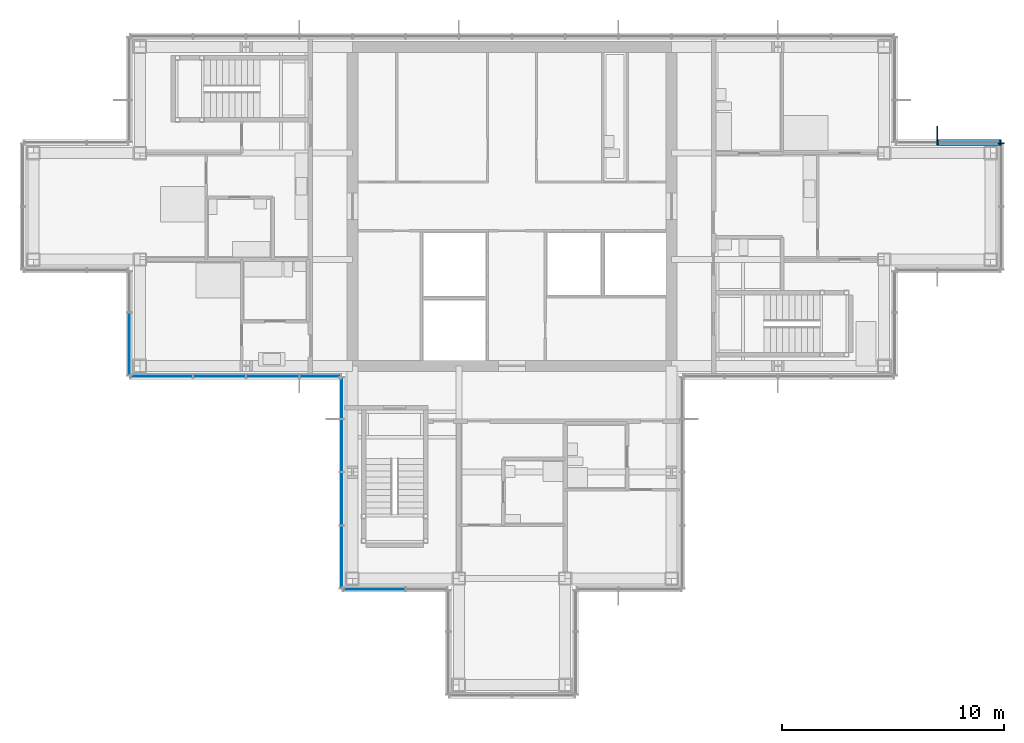
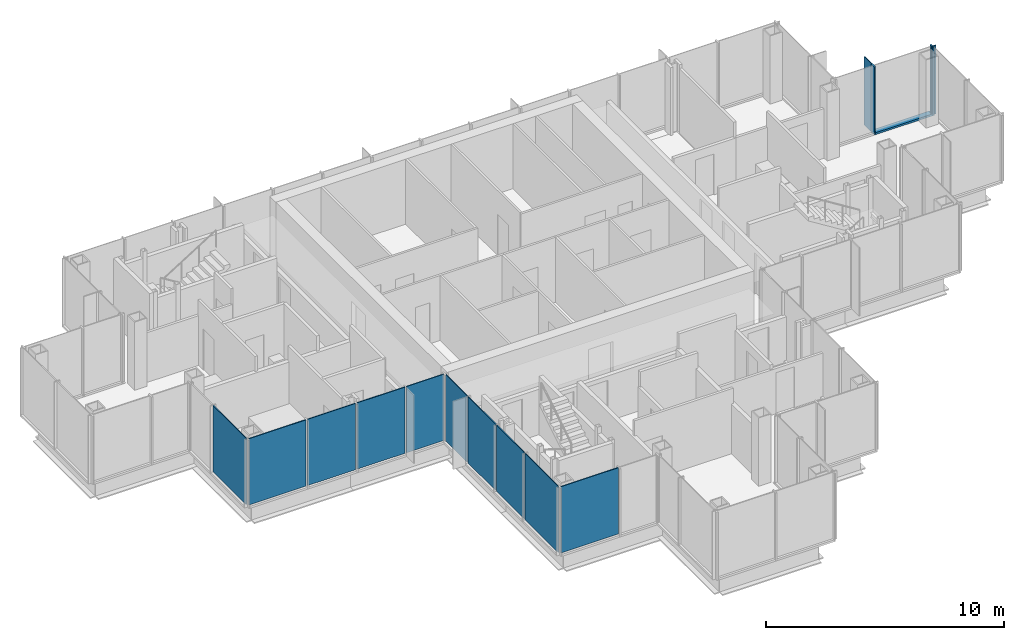
# One storey, part 8 of 15: 10 plates, 5 members, 6 elements without a shape of their own.
"""IFC4 building model written with IfcOpenShell, lengths in metres."""

import ifcopenshell
import ifcopenshell.guid

model = None  # the IFC model being written
_history = None  # IfcOwnerHistory: only IFC2X3 demands one
_inside = {}  # id of a spatial element -> (the spatial element, [elements in it])
_under = {}  # id of a project, library or spatial element -> (it, [spatial elements below it])
_declared = {}  # id of a project -> (the project, [libraries it declares])
_typed = {}  # id of a type object -> (the type object, [elements of that type])
_made_of = {}  # id of a material, layer set ... -> (it, [elements and type objects made of it])


def new_model(schema):
    """Start an empty IFC model of exactly this schema.

    Asked for "IFC4X3", IfcOpenShell would pick the latest addendum, in which some entities
    have other attributes; the version numbers below select the first issue.
    IFC2X3 requires an IfcOwnerHistory on every rooted entity: one is made here for all.
    """
    global model, _history
    if schema == "IFC4X3":
        model = ifcopenshell.file(schema_version=(4, 3, 0, 0))
    else:
        model = ifcopenshell.file(schema=schema)
    _inside.clear()
    _under.clear()
    _declared.clear()
    _typed.clear()
    _made_of.clear()
    _history = None
    if model.schema == "IFC2X3":
        org = make("IfcOrganization", Name="unknown")
        user = make(
            "IfcPersonAndOrganization",
            ThePerson=make("IfcPerson", FamilyName="unknown"),
            TheOrganization=org,
        )
        app = make(
            "IfcApplication",
            ApplicationDeveloper=org,
            Version="unknown",
            ApplicationFullName="unknown",
            ApplicationIdentifier="unknown",
        )
        _history = make(
            "IfcOwnerHistory",
            OwningUser=user,
            OwningApplication=app,
            ChangeAction="ADDED",
            CreationDate=0,
        )
    return model


def make(cls, **values):
    """One entity of the class cls with the attributes given. An attribute that is None is left unset."""
    return model.create_entity(
        cls, **{name: value for name, value in values.items() if value is not None}
    )


def rooted(cls, **values):
    """An entity with a GlobalId (a new one), such as an element, a storey or a relation."""
    return make(cls, GlobalId=ifcopenshell.guid.new(), OwnerHistory=_history, **values)


def si_unit(unit_type, name, prefix=None):
    """IfcSIUnit, for example si_unit("LENGTHUNIT", "METRE", prefix="MILLI")."""
    return make("IfcSIUnit", UnitType=unit_type, Prefix=prefix, Name=name)


def assignment(units):
    """IfcUnitAssignment: the units of a project."""
    return None if units is None else make("IfcUnitAssignment", Units=units)


def point(xyz):
    """IfcCartesianPoint."""
    return None if xyz is None else make("IfcCartesianPoint", Coordinates=xyz)


def direction(xyz):
    """IfcDirection."""
    return None if xyz is None else make("IfcDirection", DirectionRatios=xyz)


def frame(location, z_axis=None, x_axis=None):
    """IfcAxis2Placement3D, a coordinate frame: its origin and axes. An axis left out is left unset."""
    return make(
        "IfcAxis2Placement3D",
        Location=point(location),
        Axis=direction(z_axis),
        RefDirection=direction(x_axis),
    )


def frame_2d(location, x_axis=None):
    """IfcAxis2Placement2D, a coordinate frame in the plane: its origin and x axis."""
    return make(
        "IfcAxis2Placement2D", Location=point(location), RefDirection=direction(x_axis)
    )


def origin():
    """The frame at (0, 0, 0) with its axes left unset."""
    return frame((0.0, 0.0, 0.0))


def origin_2d():
    """The frame at (0, 0) in the plane with its x axis left unset."""
    return frame_2d((0.0, 0.0))


def place(relative_to, where):
    """IfcLocalPlacement: puts the frame where relative to a parent placement (None: the world)."""
    return make(
        "IfcLocalPlacement", PlacementRelTo=relative_to, RelativePlacement=where
    )


def context(
    kind, dimensions, precision=None, world=None, true_north=None, identifier=None
):
    """IfcGeometricRepresentationContext, for example the 3D "Model" context."""
    return make(
        "IfcGeometricRepresentationContext",
        ContextIdentifier=identifier,
        ContextType=kind,
        CoordinateSpaceDimension=dimensions,
        Precision=precision,
        WorldCoordinateSystem=world,
        TrueNorth=true_north,
    )


def subcontext(parent, identifier, kind, view, scale=None):
    """IfcGeometricRepresentationSubContext, for example "Body" below "Model"."""
    return make(
        "IfcGeometricRepresentationSubContext",
        ContextIdentifier=identifier,
        ContextType=kind,
        ParentContext=parent,
        TargetScale=scale,
        TargetView=view,
    )


def project(units=None, contexts=None):
    """IfcProject with its units and contexts."""
    return rooted(
        "IfcProject",
        Name="project",
        RepresentationContexts=contexts,
        UnitsInContext=assignment(units),
    )


def spatial(cls, under=None, at=None, **own):
    """A site, building, storey or space (cls), placed at a placement, below another one or the project."""
    s = rooted(cls, ObjectPlacement=at, **own)
    if under is not None:
        _under.setdefault(under.id(), (under, []))[1].append(s)
    return s


def profile(cls, at=None, kind="AREA", **sizes):
    """A parametric profile (cls). Its sizes go by their IFC names, for example OverallWidth=200.0."""
    return make(cls, ProfileType=kind, Position=at, **sizes)


def rectangle(**sizes):
    """IfcRectangleProfileDef."""
    return profile("IfcRectangleProfileDef", **sizes)


def extrude(swept, where, along, depth):
    """IfcExtrudedAreaSolid: the profile swept, set in the frame where, extruded along a direction by depth."""
    return make(
        "IfcExtrudedAreaSolid",
        SweptArea=swept,
        Position=where,
        ExtrudedDirection=direction(along),
        Depth=depth,
    )


def shape(context_of_items, identifier, shape_type, items):
    """IfcShapeRepresentation: the items that make up one representation, for example the "Body"."""
    return make(
        "IfcShapeRepresentation",
        ContextOfItems=context_of_items,
        RepresentationIdentifier=identifier,
        RepresentationType=shape_type,
        Items=items,
    )


def material(Name=None, Category=None):
    """IfcMaterial."""
    return make("IfcMaterial", Name=Name, Category=Category)


def layer(
    of_material, thickness, ventilated=None, Name=None, Category=None, Priority=None
):
    """IfcMaterialLayer: one layer of a wall or slab, of a material (None: an air gap)."""
    return make(
        "IfcMaterialLayer",
        Material=of_material,
        LayerThickness=thickness,
        IsVentilated=ventilated,
        Name=Name,
        Category=Category,
        Priority=Priority,
    )


def layer_set(layers, Name=None):
    """IfcMaterialLayerSet."""
    return make("IfcMaterialLayerSet", MaterialLayers=layers, LayerSetName=Name)


def material_profile(
    of_material, cross_section, Name=None, Category=None, Priority=None
):
    """IfcMaterialProfile: a cross section and its material."""
    return make(
        "IfcMaterialProfile",
        Name=Name,
        Material=of_material,
        Profile=cross_section,
        Priority=Priority,
        Category=Category,
    )


def profile_set(profiles, Name=None, composite=None):
    """IfcMaterialProfileSet."""
    return make(
        "IfcMaterialProfileSet",
        Name=Name,
        MaterialProfiles=profiles,
        CompositeProfile=composite,
    )


def made_of(thing, what):
    """Note that an element or type object is made of a material, layer set ...; save() writes the relation."""
    if what is not None:
        _made_of.setdefault(what.id(), (what, []))[1].append(thing)
    return thing


def type_object(cls, material=None, **own):
    """A type object (cls), such as IfcWallType, which elements share."""
    return made_of(rooted(cls, **own), material)


def element(
    cls,
    number,
    at=None,
    inside=None,
    cuts=None,
    type_object=None,
    material=None,
    context=None,
    identifier="Body",
    shape_type=None,
    held_by="IfcProductDefinitionShape",
    body=None,
    shapes=None,
    **own,
):
    """One element of the class cls, such as IfcWall. Its Tag is "e" and its number.

    at: its placement. inside: the storey or other place that contains it. cuts: it is an
    opening in that element (IfcRelVoidsElement). A single representation is given by context,
    identifier, shape_type and body (its items); several are given by shapes. held_by: the class
    of the entity that holds the representations. save() writes the other relations.
    """
    e = rooted(cls, Tag="e%d" % number, ObjectPlacement=at, **own)
    if body is not None:
        shapes = [shape(context, identifier, shape_type, body)]
    if shapes is not None:
        e.Representation = make(held_by, Representations=shapes)
    if inside is not None:
        _inside.setdefault(inside.id(), (inside, []))[1].append(e)
    if cuts is not None:
        rooted(
            "IfcRelVoidsElement", RelatingBuildingElement=cuts, RelatedOpeningElement=e
        )
    if type_object is not None:
        _typed.setdefault(type_object.id(), (type_object, []))[1].append(e)
    return made_of(e, material)


def aggregate(whole, parts):
    """IfcRelAggregates: a whole, such as a stair, and the parts it consists of."""
    return rooted("IfcRelAggregates", RelatingObject=whole, RelatedObjects=parts)


def save(model, path):
    """Write the relations noted so far, then the file.

    IfcRelAggregates (storeys below a building ...), IfcRelContainedInSpatialStructure (elements
    in a storey), IfcRelDefinesByType, IfcRelAssociatesMaterial and IfcRelDeclares: one each for
    every whole, place, type object, material and project.
    """
    for whole, parts in _under.values():
        aggregate(whole, parts)
    for where, things in _inside.values():
        rooted(
            "IfcRelContainedInSpatialStructure",
            RelatedElements=things,
            RelatingStructure=where,
        )
    for kind, things in _typed.values():
        rooted("IfcRelDefinesByType", RelatedObjects=things, RelatingType=kind)
    for what, things in _made_of.values():
        rooted("IfcRelAssociatesMaterial", RelatedObjects=things, RelatingMaterial=what)
    for by, libraries in _declared.values():
        rooted("IfcRelDeclares", RelatingContext=by, RelatedDefinitions=libraries)
    model.write(path)


model = new_model("IFC4")

# Units and contexts
model_context = context("Model", 3, precision=1e-05, world=origin(), true_north=direction((0.0, 1.0)))
body_context = subcontext(model_context, "Body", "Model", "MODEL_VIEW")
ifc_project = project(units=[si_unit("LENGTHUNIT", "METRE"), si_unit("AREAUNIT", "SQUARE_METRE"), si_unit("VOLUMEUNIT", "CUBIC_METRE"), si_unit("PLANEANGLEUNIT", "RADIAN"), si_unit("MASSUNIT", "GRAM", prefix="KILO")], contexts=[model_context])

# Site, building, storey
site_placement = place(None, origin())
site = spatial("IfcSite", under=ifc_project, at=site_placement, CompositionType="ELEMENT")
building_placement = place(site_placement, origin())
building = spatial("IfcBuilding", under=site, at=building_placement, Name="Kvirike Care Tower", CompositionType="ELEMENT")
storey_placement = place(building_placement, frame((0.0, 0.0, 212.0)))
storey = spatial("IfcBuildingStorey", under=building, at=storey_placement, Name="L58", CompositionType="ELEMENT", Elevation=212.0)

# Curtain wall, member
ifc_material_1 = material(Name="Anodised aluminium stick system", Category="aluminium")
curtain_wall_type = type_object("IfcCurtainWallType", Name="CW-D STICK CURTAIN WALL", PredefinedType="NOTDEFINED", material=ifc_material_1)
curtain_wall_1_placement = place(storey_placement, origin())
curtain_wall_1 = element("IfcCurtainWall", 1, at=curtain_wall_1_placement, inside=storey, type_object=curtain_wall_type, Name="Curtain wall L58 face 5", PredefinedType="NOTDEFINED")
ifc_material_2 = material(Name="Bronze anodised aluminium fin", Category="aluminium")
ifc_material_profile_1 = material_profile(ifc_material_2, rectangle(XDim=0.050048828125, YDim=0.60009765625, at=origin_2d()), Name="BRONZE FIN 600")
ifc_profile_set_1 = profile_set([ifc_material_profile_1], Name="Bronze anodised aluminium fin")
member_type_1 = type_object("IfcMemberType", Name="BRONZE FIN 600", PredefinedType="USERDEFINED", material=ifc_profile_set_1)
member_1_placement = place(storey_placement, frame((40.800048828125, 39.31005859375, 0.0), z_axis=(0.0, 0.0, 1.0), x_axis=(-1.0, 0.0, 0.0)))
member_1 = element("IfcMember", 2, at=member_1_placement, type_object=member_type_1, Name="Bronze fin L58 face 5.2", ObjectType="FIN", PredefinedType="USERDEFINED", context=body_context, shape_type="SweptSolid", body=[
    extrude(rectangle(XDim=0.050048828125, YDim=0.60009765625, at=origin_2d()), origin(), (0.0, 0.0, 1.0), 3.5),
])

curtain_wall_2_placement = place(storey_placement, origin())
curtain_wall_2 = element("IfcCurtainWall", 3, at=curtain_wall_2_placement, inside=storey, type_object=curtain_wall_type, Name="Curtain wall L58 face 4", PredefinedType="NOTDEFINED")
ifc_material_3 = material(Name="Bronze anodised aluminium mullion", Category="aluminium")
ifc_material_profile_2 = material_profile(ifc_material_3, rectangle(XDim=0.06494140625, YDim=0.260009765625, at=origin_2d()), Name="CW-D MULLION 65x260")
ifc_profile_set_2 = profile_set([ifc_material_profile_2], Name="Bronze anodised aluminium mullion")
member_type_2 = type_object("IfcMemberType", Name="CW-D MULLION 65x260", PredefinedType="MULLION", material=ifc_profile_set_2)
member_2_placement = place(storey_placement, frame((43.679931640625, 38.847412109375, 0.0), z_axis=(0.0, 0.0, 1.0), x_axis=(0.0, 1.0, 0.0)))
member_2 = element("IfcMember", 4, at=member_2_placement, type_object=member_type_2, Name="CW-D mullion L58 face 4.3", PredefinedType="MULLION", context=body_context, shape_type="SweptSolid", body=[
    extrude(rectangle(XDim=0.06494140625, YDim=0.260009765625, at=origin_2d()), origin(), (0.0, 0.0, 1.0), 3.5),
])
aggregate(curtain_wall_2, [member_2])

# Member
member_3_placement = place(storey_placement, frame((43.6474609375, 38.8798828125, 0.0), z_axis=(0.0, 0.0, 1.0), x_axis=(-1.0, 0.0, 0.0)))
member_3 = element("IfcMember", 5, at=member_3_placement, type_object=member_type_2, Name="CW-D mullion L58 face 5.1", PredefinedType="MULLION", context=body_context, shape_type="SweptSolid", body=[
    extrude(rectangle(XDim=0.06494140625, YDim=0.260009765625, at=origin_2d()), origin(), (0.0, 0.0, 1.0), 3.5),
])

member_4_placement = place(storey_placement, frame((40.800048828125, 38.8798828125, 0.0), z_axis=(0.0, 0.0, 1.0), x_axis=(-1.0, 0.0, 0.0)))
member_4 = element("IfcMember", 6, at=member_4_placement, type_object=member_type_2, Name="CW-D mullion L58 face 5.2", PredefinedType="MULLION", context=body_context, shape_type="SweptSolid", body=[
    extrude(rectangle(XDim=0.06494140625, YDim=0.260009765625, at=origin_2d()), origin(), (0.0, 0.0, 1.0), 3.5),
])

ifc_material_4 = material(Name="Bronze anodised aluminium transom", Category="aluminium")
ifc_material_profile_3 = material_profile(ifc_material_4, rectangle(XDim=0.260009765625, YDim=0.10009765625, at=origin_2d()), Name="CW-D TRANSOM 260x100")
ifc_profile_set_3 = profile_set([ifc_material_profile_3], Name="Bronze anodised aluminium transom")
member_type_3 = type_object("IfcMemberType", Name="CW-D TRANSOM 260x100", PredefinedType="USERDEFINED", material=ifc_profile_set_3)
member_5_placement = place(storey_placement, frame((43.614990234375, 38.8798828125, 0.050048828125), z_axis=(-1.0, 0.0, 0.0), x_axis=(0.0, -1.0, 0.0)))
member_5 = element("IfcMember", 7, at=member_5_placement, type_object=member_type_3, Name="CW-D sill transom L58 face 5.1", ObjectType="TRANSOM", PredefinedType="USERDEFINED", context=body_context, shape_type="SweptSolid", body=[
    extrude(rectangle(XDim=0.260009765625, YDim=0.10009765625, at=origin_2d()), origin(), (0.0, 0.0, 1.0), 2.782470703125),
])

aggregate(curtain_wall_1, [member_3, member_4, member_1, member_5])

# Curtain wall, plate
curtain_wall_3_placement = place(storey_placement, origin())
curtain_wall_3 = element("IfcCurtainWall", 8, at=curtain_wall_3_placement, inside=storey, type_object=curtain_wall_type, Name="Curtain wall L58 face 12", PredefinedType="NOTDEFINED")
ifc_material_5 = material(Name="Tinted double glazed unit", Category="glass")
ifc_layer = layer(ifc_material_5, 0.0439453125)
ifc_layer_set = layer_set([ifc_layer], Name="TINTED VISION PANEL 44")
plate_type = type_object("IfcPlateType", Name="TINTED VISION PANEL 44", PredefinedType="CURTAIN_PANEL", material=ifc_layer_set)
plate_1_placement = place(storey_placement, frame((4.320068359375, 29.7763671875, 0.10009765625), z_axis=(0.0, 0.0, 1.0), x_axis=(0.0, -1.0, 0.0)))
plate_1 = element("IfcPlate", 9, at=plate_1_placement, type_object=plate_type, Name="CW-D panel L58 face 12.2", PredefinedType="CURTAIN_PANEL", context=body_context, shape_type="SweptSolid", body=[
    extrude(rectangle(XDim=2.782470703125, YDim=0.0439453125, at=origin_2d()), origin(), (0.0, 0.0, 1.0), 3.39990234375),
])
aggregate(curtain_wall_3, [plate_1])

# Curtain wall, plates
curtain_wall_4_placement = place(storey_placement, origin())
curtain_wall_4 = element("IfcCurtainWall", 10, at=curtain_wall_4_placement, inside=storey, type_object=curtain_wall_type, Name="Curtain wall L58 face 13", PredefinedType="NOTDEFINED")
plate_2_placement = place(storey_placement, frame((5.7763671875, 28.320068359375, 0.10009765625), z_axis=(0.0, 0.0, 1.0), x_axis=(1.0, 0.0, 0.0)))
plate_2 = element("IfcPlate", 11, at=plate_2_placement, type_object=plate_type, Name="CW-D panel L58 face 13.1", PredefinedType="CURTAIN_PANEL", context=body_context, shape_type="SweptSolid", body=[
    extrude(rectangle(XDim=2.782470703125, YDim=0.0439453125, at=origin_2d()), origin(), (0.0, 0.0, 1.0), 3.39990234375),
])
plate_3_placement = place(storey_placement, frame((8.39990234375, 28.320068359375, 0.10009765625), z_axis=(0.0, 0.0, 1.0), x_axis=(1.0, 0.0, 0.0)))
plate_3 = element("IfcPlate", 12, at=plate_3_placement, type_object=plate_type, Name="CW-D panel L58 face 13.2", PredefinedType="CURTAIN_PANEL", context=body_context, shape_type="SweptSolid", body=[
    extrude(rectangle(XDim=2.3349609375, YDim=0.0439453125, at=origin_2d()), origin(), (0.0, 0.0, 1.0), 3.39990234375),
])
plate_4_placement = place(storey_placement, frame((10.800048828125, 28.320068359375, 0.10009765625), z_axis=(0.0, 0.0, 1.0), x_axis=(1.0, 0.0, 0.0)))
plate_4 = element("IfcPlate", 13, at=plate_4_placement, type_object=plate_type, Name="CW-D panel L58 face 13.3", PredefinedType="CURTAIN_PANEL", context=body_context, shape_type="SweptSolid", body=[
    extrude(rectangle(XDim=2.3349609375, YDim=0.0439453125, at=origin_2d()), origin(), (0.0, 0.0, 1.0), 3.39990234375),
])
plate_5_placement = place(storey_placement, frame((12.94384765625, 28.320068359375, 0.10009765625), z_axis=(0.0, 0.0, 1.0), x_axis=(1.0, 0.0, 0.0)))
plate_5 = element("IfcPlate", 14, at=plate_5_placement, type_object=plate_type, Name="CW-D panel L58 face 13.4", PredefinedType="CURTAIN_PANEL", context=body_context, shape_type="SweptSolid", body=[
    extrude(rectangle(XDim=1.822509765625, YDim=0.0439453125, at=origin_2d()), origin(), (0.0, 0.0, 1.0), 3.39990234375),
])
aggregate(curtain_wall_4, [plate_2, plate_3, plate_4, plate_5])

curtain_wall_5_placement = place(storey_placement, origin())
curtain_wall_5 = element("IfcCurtainWall", 15, at=curtain_wall_5_placement, inside=storey, type_object=curtain_wall_type, Name="Curtain wall L58 face 14", PredefinedType="NOTDEFINED")
plate_6_placement = place(storey_placement, frame((13.919921875, 27.34375, 0.10009765625), z_axis=(0.0, 0.0, 1.0), x_axis=(0.0, -1.0, 0.0)))
plate_6 = element("IfcPlate", 16, at=plate_6_placement, type_object=plate_type, Name="CW-D panel L58 face 14.1", PredefinedType="CURTAIN_PANEL", context=body_context, shape_type="SweptSolid", body=[
    extrude(rectangle(XDim=1.822509765625, YDim=0.0439453125, at=origin_2d()), origin(), (0.0, 0.0, 1.0), 3.39990234375),
])
plate_7_placement = place(storey_placement, frame((13.919921875, 25.199951171875, 0.10009765625), z_axis=(0.0, 0.0, 1.0), x_axis=(0.0, -1.0, 0.0)))
plate_7 = element("IfcPlate", 17, at=plate_7_placement, type_object=plate_type, Name="CW-D panel L58 face 14.2", PredefinedType="CURTAIN_PANEL", context=body_context, shape_type="SweptSolid", body=[
    extrude(rectangle(XDim=2.3349609375, YDim=0.0439453125, at=origin_2d()), origin(), (0.0, 0.0, 1.0), 3.39990234375),
])
plate_8_placement = place(storey_placement, frame((13.919921875, 22.800048828125, 0.10009765625), z_axis=(0.0, 0.0, 1.0), x_axis=(0.0, -1.0, 0.0)))
plate_8 = element("IfcPlate", 18, at=plate_8_placement, type_object=plate_type, Name="CW-D panel L58 face 14.3", PredefinedType="CURTAIN_PANEL", context=body_context, shape_type="SweptSolid", body=[
    extrude(rectangle(XDim=2.3349609375, YDim=0.0439453125, at=origin_2d()), origin(), (0.0, 0.0, 1.0), 3.39990234375),
])
plate_9_placement = place(storey_placement, frame((13.919921875, 20.17626953125, 0.10009765625), z_axis=(0.0, 0.0, 1.0), x_axis=(0.0, -1.0, 0.0)))
plate_9 = element("IfcPlate", 19, at=plate_9_placement, type_object=plate_type, Name="CW-D panel L58 face 14.4", PredefinedType="CURTAIN_PANEL", context=body_context, shape_type="SweptSolid", body=[
    extrude(rectangle(XDim=2.782470703125, YDim=0.0439453125, at=origin_2d()), origin(), (0.0, 0.0, 1.0), 3.39990234375),
])
aggregate(curtain_wall_5, [plate_6, plate_7, plate_8, plate_9])

# Curtain wall, plate
curtain_wall_6_placement = place(storey_placement, origin())
curtain_wall_6 = element("IfcCurtainWall", 20, at=curtain_wall_6_placement, inside=storey, type_object=curtain_wall_type, Name="Curtain wall L58 face 15", PredefinedType="NOTDEFINED")
plate_10_placement = place(storey_placement, frame((15.376220703125, 18.719970703125, 0.10009765625), z_axis=(0.0, 0.0, 1.0), x_axis=(1.0, 0.0, 0.0)))
plate_10 = element("IfcPlate", 21, at=plate_10_placement, type_object=plate_type, Name="CW-D panel L58 face 15.1", PredefinedType="CURTAIN_PANEL", context=body_context, shape_type="SweptSolid", body=[
    extrude(rectangle(XDim=2.782470703125, YDim=0.0439453125, at=origin_2d()), origin(), (0.0, 0.0, 1.0), 3.39990234375),
])
aggregate(curtain_wall_6, [plate_10])

save(model, "model.ifc")
